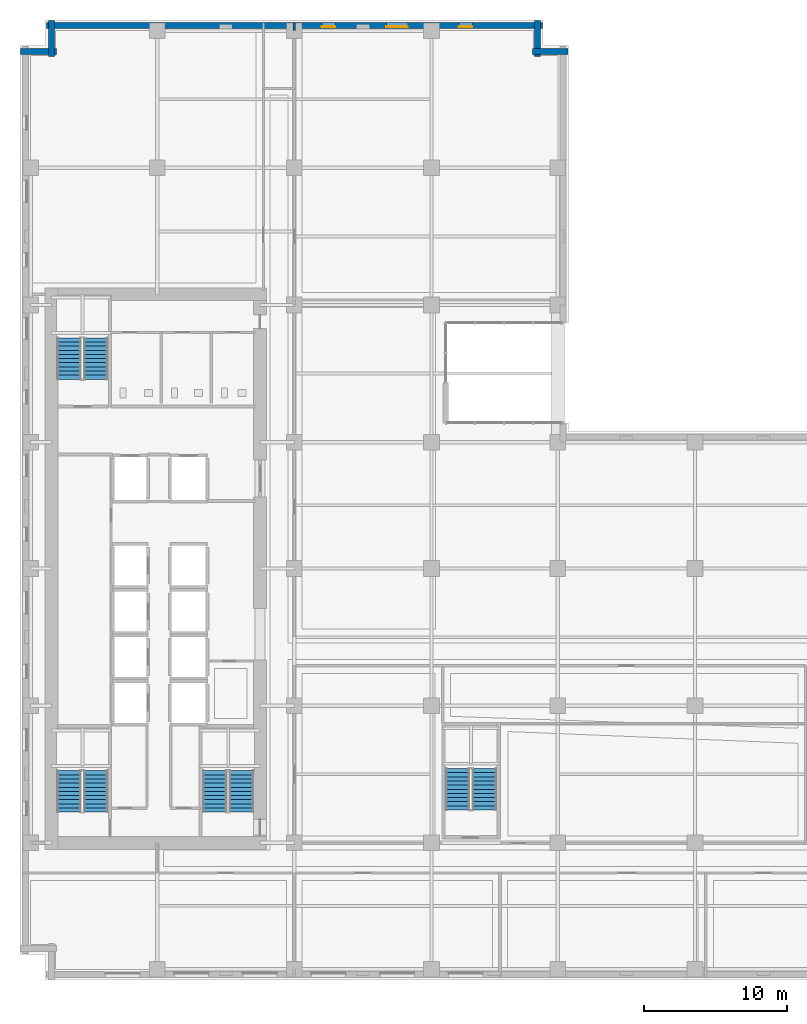
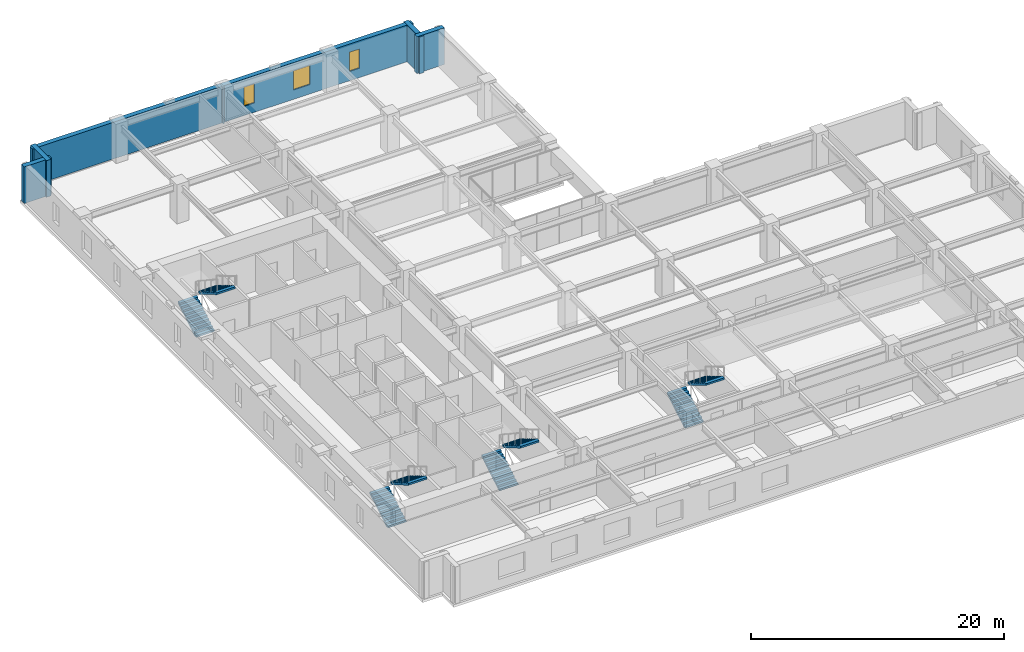
# One storey, part 8 of 14: 8 stair flights, 6 walls, 3 windows, 3 openings, 4 elements without a shape of their own.
"""IFC4 building model written with IfcOpenShell, lengths in metres."""

from ifc_helpers import new_model, si_unit, direction, frame, frame_2d, origin, place, context, subcontext, project, spatial, polyline, rectangle, outline, extrude, material, layer, layer_set, type_object, element, fill, aggregate, save


model = new_model("IFC4")

# Units and contexts
model_context = context("Model", 3, precision=1e-05, world=origin(), true_north=direction((0.0, 1.0)))
body_context = subcontext(model_context, "Body", "Model", "MODEL_VIEW")
ifc_project = project(units=[si_unit("LENGTHUNIT", "METRE"), si_unit("AREAUNIT", "SQUARE_METRE"), si_unit("VOLUMEUNIT", "CUBIC_METRE"), si_unit("PLANEANGLEUNIT", "RADIAN"), si_unit("MASSUNIT", "GRAM", prefix="KILO")], contexts=[model_context])

# Site, building, storey
site_placement = place(None, origin())
site = spatial("IfcSite", under=ifc_project, at=site_placement, CompositionType="ELEMENT")
building_placement = place(site_placement, origin())
building = spatial("IfcBuilding", under=site, at=building_placement, Name="Norrvale University Quadrangle", CompositionType="ELEMENT")
storey_placement = place(building_placement, frame((0.0, 0.0, 62.199951171875)))
storey = spatial("IfcBuildingStorey", under=building, at=storey_placement, Name="L15", CompositionType="ELEMENT", Elevation=62.199951171875)

# Walls
ifc_material_1 = material(Name="Buff Norman Clay Brick Masonry", Category="masonry")
ifc_layer_1 = layer(ifc_material_1, 0.419921875, Name="Buff Norman Clay Brick Masonry")
ifc_layer_set_1 = layer_set([ifc_layer_1], Name="Buff Norman Clay Brick Masonry")
wall_type_1 = type_object("IfcWallType", Name="Wall Buff Brick 420", PredefinedType="SOLIDWALL", material=ifc_layer_set_1)
for number, where, z_axis, x_axis, name in (
    (1, (38.360107421875, 65.010009765625, 0.0), (0.0, 0.0, 1.0), (-1.0, 0.0, 0.0), "Exterior Brick Facade Wall L15-09.1"),
    (2, (36.2099609375, 64.659912109375, 0.0), (0.0, 0.0, 1.0), (0.0, 1.0, 0.0), "Exterior Brick Facade Wall L15-10.1"),
):
    element("IfcWall", number, at=place(storey_placement, frame(where, z_axis=z_axis, x_axis=x_axis)), inside=storey, type_object=wall_type_1, Name=name, PredefinedType="SOLIDWALL", context=body_context, shape_type="SweptSolid", body=[
        extrude(rectangle(XDim=2.5, YDim=0.419921875, at=frame_2d((1.25, 0.0))), origin(), (0.0, 0.0, 1.0), 3.5400390625),
    ])

# Wall, openings, windows
wall_1_placement = place(storey_placement, frame((36.56005859375, 66.81005859375, 0.0), z_axis=(0.0, 0.0, 1.0), x_axis=(-1.0, 0.0, 0.0)))
wall_1 = element("IfcWall", 3, at=wall_1_placement, inside=storey, type_object=wall_type_1, Name="Exterior Brick Facade Wall L15-11.1", PredefinedType="SOLIDWALL", context=body_context, shape_type="SweptSolid", body=[
    extrude(rectangle(XDim=34.719970703125, YDim=0.419921875, at=frame_2d((17.35986328125, 0.0))), origin(), (0.0, 0.0, 1.0), 3.5400390625),
])
opening_1_placement = place(wall_1_placement, frame((4.885009765625, 0.0, 0.89990234375)))
opening_1 = element("IfcOpeningElement", 4, at=opening_1_placement, cuts=wall_1, Name="Opening W04", PredefinedType="OPENING", context=body_context, shape_type="SweptSolid", body=[
    extrude(rectangle(XDim=0.949951171875, YDim=1.85009765625, at=frame_2d((0.47509765625, 0.925048828125))), frame((0.0, 0.221923828125, 0.0), z_axis=(0.0, -1.0, 0.0), x_axis=(1.0, 0.0, 0.0)), (0.0, 0.0, 1.0), 0.44384765625),
])
opening_2_placement = place(wall_1_placement, frame((9.409912109375, 0.0, 0.89990234375)))
opening_2 = element("IfcOpeningElement", 5, at=opening_2_placement, cuts=wall_1, Name="Opening W03", PredefinedType="OPENING", context=body_context, shape_type="SweptSolid", body=[
    extrude(rectangle(XDim=1.5, YDim=1.85009765625, at=frame_2d((0.75, 0.925048828125))), frame((0.0, 0.221923828125, 0.0), z_axis=(0.0, -1.0, 0.0), x_axis=(1.0, 0.0, 0.0)), (0.0, 0.0, 1.0), 0.44384765625),
])
opening_3_placement = place(wall_1_placement, frame((14.485107421875, 0.0, 0.89990234375)))
opening_3 = element("IfcOpeningElement", 6, at=opening_3_placement, cuts=wall_1, Name="Opening W04", PredefinedType="OPENING", context=body_context, shape_type="SweptSolid", body=[
    extrude(rectangle(XDim=0.949951171875, YDim=1.85009765625, at=frame_2d((0.47509765625, 0.925048828125))), frame((0.0, 0.221923828125, 0.0), z_axis=(0.0, -1.0, 0.0), x_axis=(1.0, 0.0, 0.0)), (0.0, 0.0, 1.0), 0.44384765625),
])
ifc_material_2 = material(Name="Triple Low-E Argon Glazing", Category="glass")
window_type_1 = type_object("IfcWindowType", Name="Window Narrow Pier 950x2300", PartitioningType="SINGLE_PANEL", PredefinedType="WINDOW", material=ifc_material_2)
window_1_placement = place(opening_1_placement, origin())
window_1 = element("IfcWindow", 7, at=window_1_placement, inside=storey, type_object=window_type_1, Name="Window Narrow Pier 950x2300 WIN-L15-E11-1-01", OverallHeight=1.85009765625, OverallWidth=0.949951171875, PartitioningType="SINGLE_PANEL", PredefinedType="WINDOW", context=body_context, shape_type="SweptSolid", body=[
    extrude(rectangle(XDim=0.949951171875, YDim=1.85009765625, at=frame_2d((0.47509765625, 0.925048828125))), frame((0.0, 0.110107421875, 0.0), z_axis=(0.0, -1.0, 0.0), x_axis=(1.0, 0.0, 0.0)), (0.0, 0.0, 1.0), 0.06005859375),
])
fill(opening_1, window_1)
window_2_placement = place(opening_3_placement, origin())
window_2 = element("IfcWindow", 8, at=window_2_placement, inside=storey, type_object=window_type_1, Name="Window Narrow Pier 950x2300 WIN-L15-E11-1-03", OverallHeight=1.85009765625, OverallWidth=0.949951171875, PartitioningType="SINGLE_PANEL", PredefinedType="WINDOW", context=body_context, shape_type="SweptSolid", body=[
    extrude(rectangle(XDim=0.949951171875, YDim=1.85009765625, at=frame_2d((0.47509765625, 0.925048828125))), frame((0.0, 0.110107421875, 0.0), z_axis=(0.0, -1.0, 0.0), x_axis=(1.0, 0.0, 0.0)), (0.0, 0.0, 1.0), 0.06005859375),
])
fill(opening_3, window_2)
window_type_2 = type_object("IfcWindowType", Name="Window Studio 1500x2300", PartitioningType="DOUBLE_PANEL_VERTICAL", PredefinedType="WINDOW", material=ifc_material_2)
window_3_placement = place(opening_2_placement, origin())
window_3 = element("IfcWindow", 9, at=window_3_placement, inside=storey, type_object=window_type_2, Name="Window Studio 1500x2300 WIN-L15-E11-1-02", OverallHeight=1.85009765625, OverallWidth=1.5, PartitioningType="DOUBLE_PANEL_VERTICAL", PredefinedType="WINDOW", context=body_context, shape_type="SweptSolid", body=[
    extrude(rectangle(XDim=1.5, YDim=1.85009765625, at=frame_2d((0.75, 0.925048828125))), frame((0.0, 0.110107421875, 0.0), z_axis=(0.0, -1.0, 0.0), x_axis=(1.0, 0.0, 0.0)), (0.0, 0.0, 1.0), 0.06005859375),
])
fill(opening_2, window_3)

# Walls
for number, where, z_axis, x_axis, name in (
    (10, (2.18994140625, 67.159912109375, 0.0), (0.0, 0.0, 1.0), (0.0, -1.0, 0.0), "Exterior Brick Facade Wall L15-12.1"),
    (11, (2.5400390625, 65.010009765625, 0.0), (0.0, 0.0, 1.0), (-1.0, 0.0, 0.0), "Exterior Brick Facade Wall L15-13.1"),
):
    element("IfcWall", number, at=place(storey_placement, frame(where, z_axis=z_axis, x_axis=x_axis)), inside=storey, type_object=wall_type_1, Name=name, PredefinedType="SOLIDWALL", context=body_context, shape_type="SweptSolid", body=[
        extrude(rectangle(XDim=2.5, YDim=0.419921875, at=frame_2d((1.25, 0.0))), origin(), (0.0, 0.0, 1.0), 3.5400390625),
    ])
ifc_material_3 = material(Name="Fire-Rated Gypsum Stud Partition")
ifc_layer_2 = layer(ifc_material_3, 0.14990234375, Name="Fire-Rated Gypsum Stud Partition")
ifc_layer_set_2 = layer_set([ifc_layer_2], Name="Fire-Rated Gypsum Stud Partition")
wall_type_2 = type_object("IfcWallType", Name="Wall Gypsum Corridor 150", PredefinedType="PARTITIONING", material=ifc_layer_set_2)
wall_2_placement = place(storey_placement, frame((19.199951171875, 66.449951171875, 0.0), z_axis=(0.0, 0.0, 1.0), x_axis=(0.0, 1.0, 0.0)))
element("IfcWall", 12, at=wall_2_placement, inside=storey, type_object=wall_type_2, Name="Interior Partition WL-L15-NECW-B2", PredefinedType="PARTITIONING", context=body_context, shape_type="SweptSolid", body=[
    extrude(rectangle(XDim=0.530029296875, YDim=0.14990234375, at=frame_2d((0.26513671875, 0.0))), origin(), (0.0, 0.0, 1.0), 3.5400390625),
])

# Stair, stair flights
ifc_material_4 = material(Name="Concrete C40/50", Category="concrete")
stair_type = type_object("IfcStairType", Name="Stair Tower Typ 3800", PredefinedType="TWO_STRAIGHT_RUN_STAIR", material=ifc_material_4)
stair_1_placement = place(storey_placement, origin())
stair_1 = element("IfcStair", 13, at=stair_1_placement, inside=storey, type_object=stair_type, Name="Exit Stair ST-01 L15", PredefinedType="TWO_STRAIGHT_RUN_STAIR")
stair_flight_type = type_object("IfcStairFlightType", Name="Flight Typ 1500", PredefinedType="STRAIGHT", material=ifc_material_4)
stair_flight_1_placement = place(storey_placement, frame((3.429931640625, 11.75, 0.0), z_axis=(0.0, 0.0, 1.0), x_axis=(0.0, 1.0, 0.0)))
stair_flight_1 = element("IfcStairFlight", 14, at=stair_flight_1_placement, type_object=stair_flight_type, Name="Exit Stair ST-01 L15 Lower Flight", NumberOfRisers=11, NumberOfTreads=10, PredefinedType="STRAIGHT", RiserHeight=0.172727, TreadLength=0.29, context=body_context, shape_type="SweptSolid", body=[
    extrude(outline(polyline([(0.0, 0.0), (0.0, 0.172607421875), (0.2900390625, 0.172607421875), (0.2900390625, 0.345458984375), (0.580078125, 0.345458984375), (0.580078125, 0.51806640625), (0.8701171875, 0.51806640625), (0.8701171875, 0.69091796875), (1.159912109375, 0.69091796875), (1.159912109375, 0.863525390625), (1.449951171875, 0.863525390625), (1.449951171875, 1.036376953125), (1.739990234375, 1.036376953125), (1.739990234375, 1.208984375), (2.030029296875, 1.208984375), (2.030029296875, 1.3818359375), (2.320068359375, 1.3818359375), (2.320068359375, 1.554443359375), (2.610107421875, 1.554443359375), (2.610107421875, 1.727294921875), (2.89990234375, 1.727294921875), (2.89990234375, 1.89990234375), (2.89990234375, 1.552734375), (0.29296875, 0.0), (0.0, 0.0)])), frame((0.0, 0.83984375, 0.0), z_axis=(0.0, -1.0, 0.0), x_axis=(1.0, 0.0, 0.0)), (0.0, 0.0, 1.0), 1.679931640625),
])
stair_flight_2_placement = place(storey_placement, frame((5.320068359375, 14.64990234375, 1.900146484375), z_axis=(0.0, 0.0, 1.0), x_axis=(0.0, -1.0, 0.0)))
stair_flight_2 = element("IfcStairFlight", 15, at=stair_flight_2_placement, type_object=stair_flight_type, Name="Exit Stair ST-01 L15 Upper Flight", NumberOfRisers=11, NumberOfTreads=10, PredefinedType="STRAIGHT", RiserHeight=0.172727, TreadLength=0.29, context=body_context, shape_type="SweptSolid", body=[
    extrude(outline(polyline([(0.0, 0.0), (0.0, 0.172607421875), (0.2900390625, 0.172607421875), (0.2900390625, 0.345458984375), (0.580078125, 0.345458984375), (0.580078125, 0.51806640625), (0.8701171875, 0.51806640625), (0.8701171875, 0.69091796875), (1.159912109375, 0.69091796875), (1.159912109375, 0.863525390625), (1.449951171875, 0.863525390625), (1.449951171875, 1.036376953125), (1.739990234375, 1.036376953125), (1.739990234375, 1.208984375), (2.030029296875, 1.208984375), (2.030029296875, 1.3818359375), (2.320068359375, 1.3818359375), (2.320068359375, 1.554443359375), (2.610107421875, 1.554443359375), (2.610107421875, 1.727294921875), (2.89990234375, 1.727294921875), (2.89990234375, 1.89990234375), (2.89990234375, 1.552734375), (0.29296875, 0.0), (0.0, 0.0)])), frame((0.0, 0.83984375, 0.0), z_axis=(0.0, -1.0, 0.0), x_axis=(1.0, 0.0, 0.0)), (0.0, 0.0, 1.0), 1.679931640625),
])
aggregate(stair_1, [stair_flight_1, stair_flight_2])

stair_2_placement = place(storey_placement, origin())
stair_2 = element("IfcStair", 16, at=stair_2_placement, inside=storey, type_object=stair_type, Name="Exit Stair ST-02 L15", PredefinedType="TWO_STRAIGHT_RUN_STAIR")
stair_flight_3_placement = place(storey_placement, frame((3.429931640625, 42.050048828125, 0.0), z_axis=(0.0, 0.0, 1.0), x_axis=(0.0, 1.0, 0.0)))
stair_flight_3 = element("IfcStairFlight", 17, at=stair_flight_3_placement, type_object=stair_flight_type, Name="Exit Stair ST-02 L15 Lower Flight", NumberOfRisers=11, NumberOfTreads=10, PredefinedType="STRAIGHT", RiserHeight=0.172727, TreadLength=0.29, context=body_context, shape_type="SweptSolid", body=[
    extrude(outline(polyline([(0.0, 0.0), (0.0, 0.172607421875), (0.2900390625, 0.172607421875), (0.2900390625, 0.345458984375), (0.580078125, 0.345458984375), (0.580078125, 0.51806640625), (0.8701171875, 0.51806640625), (0.8701171875, 0.69091796875), (1.159912109375, 0.69091796875), (1.159912109375, 0.863525390625), (1.449951171875, 0.863525390625), (1.449951171875, 1.036376953125), (1.739990234375, 1.036376953125), (1.739990234375, 1.208984375), (2.030029296875, 1.208984375), (2.030029296875, 1.3818359375), (2.320068359375, 1.3818359375), (2.320068359375, 1.554443359375), (2.610107421875, 1.554443359375), (2.610107421875, 1.727294921875), (2.89990234375, 1.727294921875), (2.89990234375, 1.89990234375), (2.89990234375, 1.552734375), (0.29296875, 0.0), (0.0, 0.0)])), frame((0.0, 0.83984375, 0.0), z_axis=(0.0, -1.0, 0.0), x_axis=(1.0, 0.0, 0.0)), (0.0, 0.0, 1.0), 1.679931640625),
])
stair_flight_4_placement = place(storey_placement, frame((5.320068359375, 44.949951171875, 1.900146484375), z_axis=(0.0, 0.0, 1.0), x_axis=(0.0, -1.0, 0.0)))
stair_flight_4 = element("IfcStairFlight", 18, at=stair_flight_4_placement, type_object=stair_flight_type, Name="Exit Stair ST-02 L15 Upper Flight", NumberOfRisers=11, NumberOfTreads=10, PredefinedType="STRAIGHT", RiserHeight=0.172727, TreadLength=0.29, context=body_context, shape_type="SweptSolid", body=[
    extrude(outline(polyline([(0.0, 0.0), (0.0, 0.172607421875), (0.2900390625, 0.172607421875), (0.2900390625, 0.345458984375), (0.580078125, 0.345458984375), (0.580078125, 0.51806640625), (0.8701171875, 0.51806640625), (0.8701171875, 0.69091796875), (1.159912109375, 0.69091796875), (1.159912109375, 0.863525390625), (1.449951171875, 0.863525390625), (1.449951171875, 1.036376953125), (1.739990234375, 1.036376953125), (1.739990234375, 1.208984375), (2.030029296875, 1.208984375), (2.030029296875, 1.3818359375), (2.320068359375, 1.3818359375), (2.320068359375, 1.554443359375), (2.610107421875, 1.554443359375), (2.610107421875, 1.727294921875), (2.89990234375, 1.727294921875), (2.89990234375, 1.89990234375), (2.89990234375, 1.552734375), (0.29296875, 0.0), (0.0, 0.0)])), frame((0.0, 0.83984375, 0.0), z_axis=(0.0, -1.0, 0.0), x_axis=(1.0, 0.0, 0.0)), (0.0, 0.0, 1.0), 1.679931640625),
])
aggregate(stair_2, [stair_flight_3, stair_flight_4])

stair_3_placement = place(storey_placement, origin())
stair_3 = element("IfcStair", 19, at=stair_3_placement, inside=storey, type_object=stair_type, Name="Exit Stair ST-03 L15", PredefinedType="TWO_STRAIGHT_RUN_STAIR")
stair_flight_5_placement = place(storey_placement, frame((13.6298828125, 11.75, 0.0), z_axis=(0.0, 0.0, 1.0), x_axis=(0.0, 1.0, 0.0)))
stair_flight_5 = element("IfcStairFlight", 20, at=stair_flight_5_placement, type_object=stair_flight_type, Name="Exit Stair ST-03 L15 Lower Flight", NumberOfRisers=11, NumberOfTreads=10, PredefinedType="STRAIGHT", RiserHeight=0.172727, TreadLength=0.29, context=body_context, shape_type="SweptSolid", body=[
    extrude(outline(polyline([(0.0, 0.0), (0.0, 0.172607421875), (0.2900390625, 0.172607421875), (0.2900390625, 0.345458984375), (0.580078125, 0.345458984375), (0.580078125, 0.51806640625), (0.8701171875, 0.51806640625), (0.8701171875, 0.69091796875), (1.159912109375, 0.69091796875), (1.159912109375, 0.863525390625), (1.449951171875, 0.863525390625), (1.449951171875, 1.036376953125), (1.739990234375, 1.036376953125), (1.739990234375, 1.208984375), (2.030029296875, 1.208984375), (2.030029296875, 1.3818359375), (2.320068359375, 1.3818359375), (2.320068359375, 1.554443359375), (2.610107421875, 1.554443359375), (2.610107421875, 1.727294921875), (2.89990234375, 1.727294921875), (2.89990234375, 1.89990234375), (2.89990234375, 1.552734375), (0.29296875, 0.0), (0.0, 0.0)])), frame((0.0, 0.83984375, 0.0), z_axis=(0.0, -1.0, 0.0), x_axis=(1.0, 0.0, 0.0)), (0.0, 0.0, 1.0), 1.679931640625),
])
stair_flight_6_placement = place(storey_placement, frame((15.52001953125, 14.64990234375, 1.900146484375), z_axis=(0.0, 0.0, 1.0), x_axis=(0.0, -1.0, 0.0)))
stair_flight_6 = element("IfcStairFlight", 21, at=stair_flight_6_placement, type_object=stair_flight_type, Name="Exit Stair ST-03 L15 Upper Flight", NumberOfRisers=11, NumberOfTreads=10, PredefinedType="STRAIGHT", RiserHeight=0.172727, TreadLength=0.29, context=body_context, shape_type="SweptSolid", body=[
    extrude(outline(polyline([(0.0, 0.0), (0.0, 0.172607421875), (0.2900390625, 0.172607421875), (0.2900390625, 0.345458984375), (0.580078125, 0.345458984375), (0.580078125, 0.51806640625), (0.8701171875, 0.51806640625), (0.8701171875, 0.69091796875), (1.159912109375, 0.69091796875), (1.159912109375, 0.863525390625), (1.449951171875, 0.863525390625), (1.449951171875, 1.036376953125), (1.739990234375, 1.036376953125), (1.739990234375, 1.208984375), (2.030029296875, 1.208984375), (2.030029296875, 1.3818359375), (2.320068359375, 1.3818359375), (2.320068359375, 1.554443359375), (2.610107421875, 1.554443359375), (2.610107421875, 1.727294921875), (2.89990234375, 1.727294921875), (2.89990234375, 1.89990234375), (2.89990234375, 1.552734375), (0.29296875, 0.0), (0.0, 0.0)])), frame((0.0, 0.83984375, 0.0), z_axis=(0.0, -1.0, 0.0), x_axis=(1.0, 0.0, 0.0)), (0.0, 0.0, 1.0), 1.679931640625),
])
aggregate(stair_3, [stair_flight_5, stair_flight_6])

stair_4_placement = place(storey_placement, origin())
stair_4 = element("IfcStair", 22, at=stair_4_placement, inside=storey, type_object=stair_type, Name="Exit Stair ST-04 L15", PredefinedType="TWO_STRAIGHT_RUN_STAIR")
stair_flight_7_placement = place(storey_placement, frame((30.6298828125, 11.89990234375, 0.0), z_axis=(0.0, 0.0, 1.0), x_axis=(0.0, 1.0, 0.0)))
stair_flight_7 = element("IfcStairFlight", 23, at=stair_flight_7_placement, type_object=stair_flight_type, Name="Exit Stair ST-04 L15 Lower Flight", NumberOfRisers=11, NumberOfTreads=10, PredefinedType="STRAIGHT", RiserHeight=0.172727, TreadLength=0.29, context=body_context, shape_type="SweptSolid", body=[
    extrude(outline(polyline([(0.0, 0.0), (0.0, 0.172607421875), (0.2900390625, 0.172607421875), (0.2900390625, 0.345458984375), (0.580078125, 0.345458984375), (0.580078125, 0.51806640625), (0.8701171875, 0.51806640625), (0.8701171875, 0.69091796875), (1.159912109375, 0.69091796875), (1.159912109375, 0.863525390625), (1.449951171875, 0.863525390625), (1.449951171875, 1.036376953125), (1.739990234375, 1.036376953125), (1.739990234375, 1.208984375), (2.030029296875, 1.208984375), (2.030029296875, 1.3818359375), (2.320068359375, 1.3818359375), (2.320068359375, 1.554443359375), (2.610107421875, 1.554443359375), (2.610107421875, 1.727294921875), (2.89990234375, 1.727294921875), (2.89990234375, 1.89990234375), (2.89990234375, 1.552734375), (0.29296875, 0.0), (0.0, 0.0)])), frame((0.0, 0.83984375, 0.0), z_axis=(0.0, -1.0, 0.0), x_axis=(1.0, 0.0, 0.0)), (0.0, 0.0, 1.0), 1.679931640625),
])
stair_flight_8_placement = place(storey_placement, frame((32.52001953125, 14.800048828125, 1.900146484375), z_axis=(0.0, 0.0, 1.0), x_axis=(0.0, -1.0, 0.0)))
stair_flight_8 = element("IfcStairFlight", 24, at=stair_flight_8_placement, type_object=stair_flight_type, Name="Exit Stair ST-04 L15 Upper Flight", NumberOfRisers=11, NumberOfTreads=10, PredefinedType="STRAIGHT", RiserHeight=0.172727, TreadLength=0.29, context=body_context, shape_type="SweptSolid", body=[
    extrude(outline(polyline([(0.0, 0.0), (0.0, 0.172607421875), (0.2900390625, 0.172607421875), (0.2900390625, 0.345458984375), (0.580078125, 0.345458984375), (0.580078125, 0.51806640625), (0.8701171875, 0.51806640625), (0.8701171875, 0.69091796875), (1.159912109375, 0.69091796875), (1.159912109375, 0.863525390625), (1.449951171875, 0.863525390625), (1.449951171875, 1.036376953125), (1.739990234375, 1.036376953125), (1.739990234375, 1.208984375), (2.030029296875, 1.208984375), (2.030029296875, 1.3818359375), (2.320068359375, 1.3818359375), (2.320068359375, 1.554443359375), (2.610107421875, 1.554443359375), (2.610107421875, 1.727294921875), (2.89990234375, 1.727294921875), (2.89990234375, 1.89990234375), (2.89990234375, 1.552734375), (0.29296875, 0.0), (0.0, 0.0)])), frame((0.0, 0.83984375, 0.0), z_axis=(0.0, -1.0, 0.0), x_axis=(1.0, 0.0, 0.0)), (0.0, 0.0, 1.0), 1.679931640625),
])
aggregate(stair_4, [stair_flight_7, stair_flight_8])

save(model, "model.ifc")
